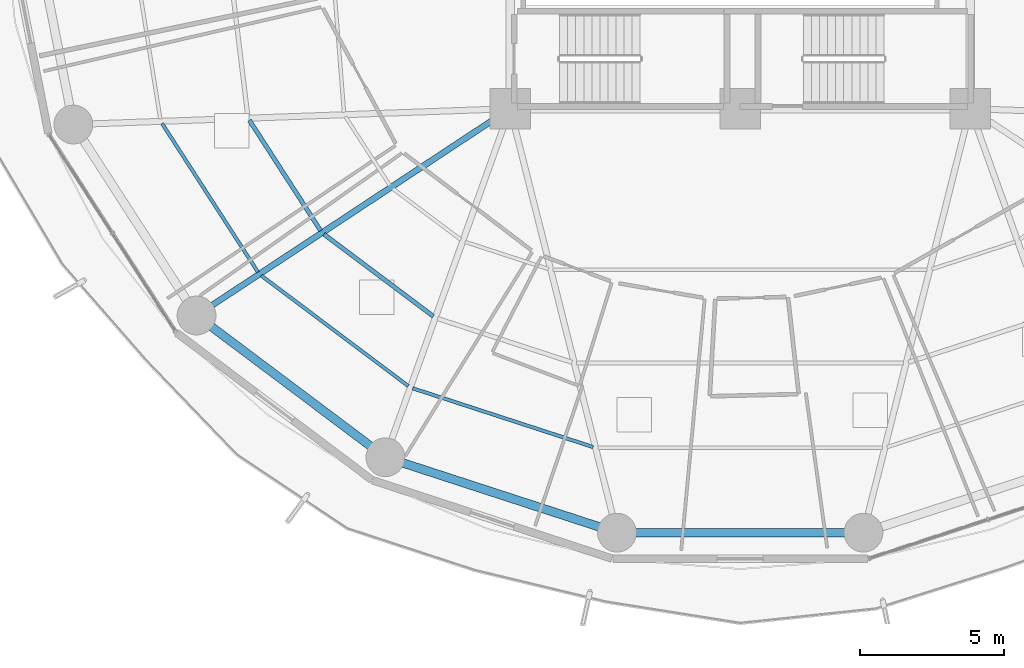
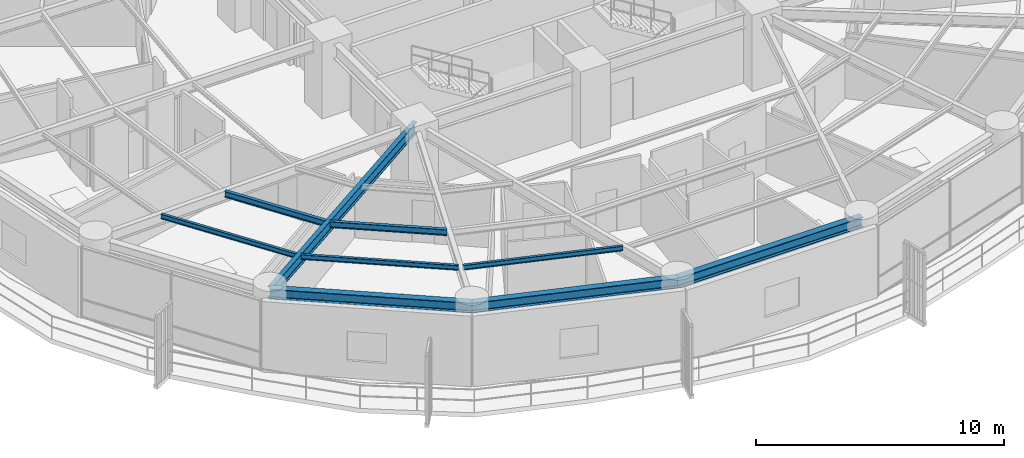
# One storey, part 3 of 35: 9 beams.
"""IFC4 building model written with IfcOpenShell, lengths in metres."""

import ifcopenshell
import ifcopenshell.guid

model = None  # the IFC model being written
_history = None  # IfcOwnerHistory: only IFC2X3 demands one
_inside = {}  # id of a spatial element -> (the spatial element, [elements in it])
_under = {}  # id of a project, library or spatial element -> (it, [spatial elements below it])
_declared = {}  # id of a project -> (the project, [libraries it declares])
_typed = {}  # id of a type object -> (the type object, [elements of that type])
_made_of = {}  # id of a material, layer set ... -> (it, [elements and type objects made of it])


def new_model(schema):
    """Start an empty IFC model of exactly this schema.

    Asked for "IFC4X3", IfcOpenShell would pick the latest addendum, in which some entities
    have other attributes; the version numbers below select the first issue.
    IFC2X3 requires an IfcOwnerHistory on every rooted entity: one is made here for all.
    """
    global model, _history
    if schema == "IFC4X3":
        model = ifcopenshell.file(schema_version=(4, 3, 0, 0))
    else:
        model = ifcopenshell.file(schema=schema)
    _inside.clear()
    _under.clear()
    _declared.clear()
    _typed.clear()
    _made_of.clear()
    _history = None
    if model.schema == "IFC2X3":
        org = make("IfcOrganization", Name="unknown")
        user = make(
            "IfcPersonAndOrganization",
            ThePerson=make("IfcPerson", FamilyName="unknown"),
            TheOrganization=org,
        )
        app = make(
            "IfcApplication",
            ApplicationDeveloper=org,
            Version="unknown",
            ApplicationFullName="unknown",
            ApplicationIdentifier="unknown",
        )
        _history = make(
            "IfcOwnerHistory",
            OwningUser=user,
            OwningApplication=app,
            ChangeAction="ADDED",
            CreationDate=0,
        )
    return model


def make(cls, **values):
    """One entity of the class cls with the attributes given. An attribute that is None is left unset."""
    return model.create_entity(
        cls, **{name: value for name, value in values.items() if value is not None}
    )


def rooted(cls, **values):
    """An entity with a GlobalId (a new one), such as an element, a storey or a relation."""
    return make(cls, GlobalId=ifcopenshell.guid.new(), OwnerHistory=_history, **values)


def si_unit(unit_type, name, prefix=None):
    """IfcSIUnit, for example si_unit("LENGTHUNIT", "METRE", prefix="MILLI")."""
    return make("IfcSIUnit", UnitType=unit_type, Prefix=prefix, Name=name)


def assignment(units):
    """IfcUnitAssignment: the units of a project."""
    return None if units is None else make("IfcUnitAssignment", Units=units)


def point(xyz):
    """IfcCartesianPoint."""
    return None if xyz is None else make("IfcCartesianPoint", Coordinates=xyz)


def direction(xyz):
    """IfcDirection."""
    return None if xyz is None else make("IfcDirection", DirectionRatios=xyz)


def frame(location, z_axis=None, x_axis=None):
    """IfcAxis2Placement3D, a coordinate frame: its origin and axes. An axis left out is left unset."""
    return make(
        "IfcAxis2Placement3D",
        Location=point(location),
        Axis=direction(z_axis),
        RefDirection=direction(x_axis),
    )


def frame_2d(location, x_axis=None):
    """IfcAxis2Placement2D, a coordinate frame in the plane: its origin and x axis."""
    return make(
        "IfcAxis2Placement2D", Location=point(location), RefDirection=direction(x_axis)
    )


def origin():
    """The frame at (0, 0, 0) with its axes left unset."""
    return frame((0.0, 0.0, 0.0))


def origin_2d():
    """The frame at (0, 0) in the plane with its x axis left unset."""
    return frame_2d((0.0, 0.0))


def place(relative_to, where):
    """IfcLocalPlacement: puts the frame where relative to a parent placement (None: the world)."""
    return make(
        "IfcLocalPlacement", PlacementRelTo=relative_to, RelativePlacement=where
    )


def context(
    kind, dimensions, precision=None, world=None, true_north=None, identifier=None
):
    """IfcGeometricRepresentationContext, for example the 3D "Model" context."""
    return make(
        "IfcGeometricRepresentationContext",
        ContextIdentifier=identifier,
        ContextType=kind,
        CoordinateSpaceDimension=dimensions,
        Precision=precision,
        WorldCoordinateSystem=world,
        TrueNorth=true_north,
    )


def subcontext(parent, identifier, kind, view, scale=None):
    """IfcGeometricRepresentationSubContext, for example "Body" below "Model"."""
    return make(
        "IfcGeometricRepresentationSubContext",
        ContextIdentifier=identifier,
        ContextType=kind,
        ParentContext=parent,
        TargetScale=scale,
        TargetView=view,
    )


def project(units=None, contexts=None):
    """IfcProject with its units and contexts."""
    return rooted(
        "IfcProject",
        Name="project",
        RepresentationContexts=contexts,
        UnitsInContext=assignment(units),
    )


def spatial(cls, under=None, at=None, **own):
    """A site, building, storey or space (cls), placed at a placement, below another one or the project."""
    s = rooted(cls, ObjectPlacement=at, **own)
    if under is not None:
        _under.setdefault(under.id(), (under, []))[1].append(s)
    return s


def profile(cls, at=None, kind="AREA", **sizes):
    """A parametric profile (cls). Its sizes go by their IFC names, for example OverallWidth=200.0."""
    return make(cls, ProfileType=kind, Position=at, **sizes)


def i_section(**sizes):
    """IfcIShapeProfileDef."""
    return profile("IfcIShapeProfileDef", **sizes)


def extrude(swept, where, along, depth):
    """IfcExtrudedAreaSolid: the profile swept, set in the frame where, extruded along a direction by depth."""
    return make(
        "IfcExtrudedAreaSolid",
        SweptArea=swept,
        Position=where,
        ExtrudedDirection=direction(along),
        Depth=depth,
    )


def shape(context_of_items, identifier, shape_type, items):
    """IfcShapeRepresentation: the items that make up one representation, for example the "Body"."""
    return make(
        "IfcShapeRepresentation",
        ContextOfItems=context_of_items,
        RepresentationIdentifier=identifier,
        RepresentationType=shape_type,
        Items=items,
    )


def material(Name=None, Category=None):
    """IfcMaterial."""
    return make("IfcMaterial", Name=Name, Category=Category)


def material_profile(
    of_material, cross_section, Name=None, Category=None, Priority=None
):
    """IfcMaterialProfile: a cross section and its material."""
    return make(
        "IfcMaterialProfile",
        Name=Name,
        Material=of_material,
        Profile=cross_section,
        Priority=Priority,
        Category=Category,
    )


def profile_set(profiles, Name=None, composite=None):
    """IfcMaterialProfileSet."""
    return make(
        "IfcMaterialProfileSet",
        Name=Name,
        MaterialProfiles=profiles,
        CompositeProfile=composite,
    )


def made_of(thing, what):
    """Note that an element or type object is made of a material, layer set ...; save() writes the relation."""
    if what is not None:
        _made_of.setdefault(what.id(), (what, []))[1].append(thing)
    return thing


def type_object(cls, material=None, **own):
    """A type object (cls), such as IfcWallType, which elements share."""
    return made_of(rooted(cls, **own), material)


def element(
    cls,
    number,
    at=None,
    inside=None,
    cuts=None,
    type_object=None,
    material=None,
    context=None,
    identifier="Body",
    shape_type=None,
    held_by="IfcProductDefinitionShape",
    body=None,
    shapes=None,
    **own,
):
    """One element of the class cls, such as IfcWall. Its Tag is "e" and its number.

    at: its placement. inside: the storey or other place that contains it. cuts: it is an
    opening in that element (IfcRelVoidsElement). A single representation is given by context,
    identifier, shape_type and body (its items); several are given by shapes. held_by: the class
    of the entity that holds the representations. save() writes the other relations.
    """
    e = rooted(cls, Tag="e%d" % number, ObjectPlacement=at, **own)
    if body is not None:
        shapes = [shape(context, identifier, shape_type, body)]
    if shapes is not None:
        e.Representation = make(held_by, Representations=shapes)
    if inside is not None:
        _inside.setdefault(inside.id(), (inside, []))[1].append(e)
    if cuts is not None:
        rooted(
            "IfcRelVoidsElement", RelatingBuildingElement=cuts, RelatedOpeningElement=e
        )
    if type_object is not None:
        _typed.setdefault(type_object.id(), (type_object, []))[1].append(e)
    return made_of(e, material)


def aggregate(whole, parts):
    """IfcRelAggregates: a whole, such as a stair, and the parts it consists of."""
    return rooted("IfcRelAggregates", RelatingObject=whole, RelatedObjects=parts)


def save(model, path):
    """Write the relations noted so far, then the file.

    IfcRelAggregates (storeys below a building ...), IfcRelContainedInSpatialStructure (elements
    in a storey), IfcRelDefinesByType, IfcRelAssociatesMaterial and IfcRelDeclares: one each for
    every whole, place, type object, material and project.
    """
    for whole, parts in _under.values():
        aggregate(whole, parts)
    for where, things in _inside.values():
        rooted(
            "IfcRelContainedInSpatialStructure",
            RelatedElements=things,
            RelatingStructure=where,
        )
    for kind, things in _typed.values():
        rooted("IfcRelDefinesByType", RelatedObjects=things, RelatingType=kind)
    for what, things in _made_of.values():
        rooted("IfcRelAssociatesMaterial", RelatedObjects=things, RelatingMaterial=what)
    for by, libraries in _declared.values():
        rooted("IfcRelDeclares", RelatingContext=by, RelatedDefinitions=libraries)
    model.write(path)


model = new_model("IFC4")

# Units and contexts
model_context = context("Model", 3, precision=1e-05, world=origin(), true_north=direction((0.0, 1.0)))
body_context = subcontext(model_context, "Body", "Model", "MODEL_VIEW")
ifc_project = project(units=[si_unit("LENGTHUNIT", "METRE"), si_unit("AREAUNIT", "SQUARE_METRE"), si_unit("VOLUMEUNIT", "CUBIC_METRE"), si_unit("PLANEANGLEUNIT", "RADIAN"), si_unit("MASSUNIT", "GRAM", prefix="KILO")], contexts=[model_context])

# Site, building, storey
site_placement = place(None, origin())
site = spatial("IfcSite", under=ifc_project, at=site_placement, CompositionType="ELEMENT")
building_placement = place(site_placement, origin())
building = spatial("IfcBuilding", under=site, at=building_placement, Name="Kelanora Arch Commons", CompositionType="ELEMENT")
storey_placement = place(building_placement, frame((0.0, 0.0, 95.10009765625)))
storey = spatial("IfcBuildingStorey", under=building, at=storey_placement, Name="L24", CompositionType="ELEMENT", Elevation=95.10009765625)

# Beams
ifc_material = material(Name="Steel S355", Category="steel")
ifc_material_profile_1 = material_profile(ifc_material, i_section(OverallWidth=0.14990234375, OverallDepth=0.300048828125, WebThickness=0.007080078125, FlangeThickness=0.0107421875, FilletRadius=0.014892578125, at=origin_2d()), Name="IPE300")
ifc_profile_set_1 = profile_set([ifc_material_profile_1], Name="Steel S355")
beam_type_1 = type_object("IfcBeamType", Name="BM-JST-01", PredefinedType="JOIST", material=ifc_profile_set_1)
beam_1_placement = place(storey_placement, frame((56.93115234375, 50.597412109375, 3.33984375), z_axis=(0.542230243286, -0.840229946661, 0.0), x_axis=(0.840229946661, 0.542230243286, 0.0)))
element("IfcBeam", 1, at=beam_1_placement, inside=storey, type_object=beam_type_1, Name="Secondary Chord Joist BJB-20 L24", PredefinedType="JOIST", context=body_context, shape_type="SweptSolid", body=[
    extrude(i_section(OverallWidth=0.14990234375, OverallDepth=0.300048828125, WebThickness=0.007080078125, FlangeThickness=0.0107421875, FilletRadius=0.014892578125, at=origin_2d()), origin(), (0.0, 0.0, 1.0), 4.572265625),
])
beam_2_placement = place(storey_placement, frame((59.5244140625, 46.63330078125, 3.33984375), z_axis=(0.79971039107, -0.600385951214, 0.0), x_axis=(0.600385951214, 0.79971039107, 0.0)))
element("IfcBeam", 2, at=beam_2_placement, inside=storey, type_object=beam_type_1, Name="Secondary Chord Joist BJB-22 L24", PredefinedType="JOIST", context=body_context, shape_type="SweptSolid", body=[
    extrude(i_section(OverallWidth=0.14990234375, OverallDepth=0.300048828125, WebThickness=0.007080078125, FlangeThickness=0.0107421875, FilletRadius=0.014892578125, at=origin_2d()), origin(), (0.0, 0.0, 1.0), 4.756103515625),
])
ifc_material_profile_2 = material_profile(ifc_material, i_section(OverallWidth=0.1201171875, OverallDepth=0.239990234375, WebThickness=0.006103515625, FlangeThickness=0.009765625, FilletRadius=0.014892578125, at=origin_2d()), Name="IPE240")
ifc_profile_set_2 = profile_set([ifc_material_profile_2], Name="Steel S355")
beam_type_2 = type_object("IfcBeamType", Name="BM-JST-02", PredefinedType="JOIST", material=ifc_profile_set_2)
beam_3_placement = place(storey_placement, frame((53.892822265625, 50.487060546875, 3.369873046875), z_axis=(0.542212726273, -0.840241250754, 0.0), x_axis=(0.840241250754, 0.542212726273, 0.0)))
element("IfcBeam", 3, at=beam_3_placement, inside=storey, type_object=beam_type_2, Name="Secondary Chord Joist BJC-20 L24", PredefinedType="JOIST", context=body_context, shape_type="SweptSolid", body=[
    extrude(i_section(OverallWidth=0.1201171875, OverallDepth=0.239990234375, WebThickness=0.006103515625, FlangeThickness=0.009765625, FilletRadius=0.014892578125, at=origin_2d()), origin(), (0.0, 0.0, 1.0), 6.15283203125),
])
beam_4_placement = place(storey_placement, frame((57.34326171875, 45.194580078125, 3.369873046875), z_axis=(0.799734335646, -0.600354055861, 0.0), x_axis=(0.600354055861, 0.799734335646, 0.0)))
element("IfcBeam", 4, at=beam_4_placement, inside=storey, type_object=beam_type_2, Name="Secondary Chord Joist BJC-22 L24", PredefinedType="JOIST", context=body_context, shape_type="SweptSolid", body=[
    extrude(i_section(OverallWidth=0.1201171875, OverallDepth=0.239990234375, WebThickness=0.006103515625, FlangeThickness=0.009765625, FilletRadius=0.014892578125, at=origin_2d()), origin(), (0.0, 0.0, 1.0), 6.39794921875),
])
beam_5_placement = place(storey_placement, frame((62.60888671875, 41.276123046875, 3.369873046875), z_axis=(0.950862829272, -0.309612467301, 0.0), x_axis=(0.309612467301, 0.950862829272, 0.0)))
element("IfcBeam", 5, at=beam_5_placement, inside=storey, type_object=beam_type_2, Name="Secondary Chord Joist BJC-24 L24", PredefinedType="JOIST", context=body_context, shape_type="SweptSolid", body=[
    extrude(i_section(OverallWidth=0.1201171875, OverallDepth=0.239990234375, WebThickness=0.006103515625, FlangeThickness=0.009765625, FilletRadius=0.014892578125, at=origin_2d()), origin(), (0.0, 0.0, 1.0), 6.6064453125),
])
ifc_material_profile_3 = material_profile(ifc_material, i_section(OverallWidth=0.2099609375, OverallDepth=0.550048828125, WebThickness=0.010986328125, FlangeThickness=0.01708984375, FilletRadius=0.02392578125, at=origin_2d()), Name="IPE550")
ifc_profile_set_3 = profile_set([ifc_material_profile_3], Name="Steel S355")
beam_type_3 = type_object("IfcBeamType", Name="BM-RAD-Z2", PredefinedType="BEAM", material=ifc_profile_set_3)
beam_6_placement = place(storey_placement, frame((66.0, 51.0, 3.21484375), z_axis=(-0.834788577908, -0.550570640512, 0.0), x_axis=(0.550570640512, -0.834788577908, 0.0)))
element("IfcBeam", 6, at=beam_6_placement, inside=storey, type_object=beam_type_3, Name="Radial Floor Girder BR-22 L24", PredefinedType="BEAM", context=body_context, shape_type="SweptSolid", body=[
    extrude(i_section(OverallWidth=0.2099609375, OverallDepth=0.550048828125, WebThickness=0.010986328125, FlangeThickness=0.01708984375, FilletRadius=0.02392578125, at=origin_2d()), origin(), (0.0, 0.0, 1.0), 13.064453125),
])
ifc_material_profile_4 = material_profile(ifc_material, i_section(OverallWidth=0.300048828125, OverallDepth=0.5, WebThickness=0.014404296875, FlangeThickness=0.028076171875, FilletRadius=0.027099609375, at=origin_2d()), Name="HEB500")
ifc_profile_set_4 = profile_set([ifc_material_profile_4], Name="Steel S355")
beam_type_4 = type_object("IfcBeamType", Name="BM-SPN-Z2", PredefinedType="SPANDREL", material=ifc_profile_set_4)
beam_7_placement = place(storey_placement, frame((55.093994140625, 43.80712890625, 3.239990234375), z_axis=(0.799735861602, -0.600352023123, 0.0), x_axis=(0.600352023123, 0.799735861602, 0.0)))
element("IfcBeam", 7, at=beam_7_placement, inside=storey, type_object=beam_type_4, Name="Perimeter Spandrel Beam BS-22 L24", PredefinedType="SPANDREL", context=body_context, shape_type="SweptSolid", body=[
    extrude(i_section(OverallWidth=0.300048828125, OverallDepth=0.5, WebThickness=0.014404296875, FlangeThickness=0.028076171875, FilletRadius=0.027099609375, at=origin_2d()), origin(), (0.0, 0.0, 1.0), 8.210205078125),
])
beam_8_placement = place(storey_placement, frame((61.659912109375, 38.878173828125, 3.239990234375), z_axis=(0.950856631974, -0.309631499418, 0.0), x_axis=(0.309631499418, 0.950856631974, 0.0)))
element("IfcBeam", 8, at=beam_8_placement, inside=storey, type_object=beam_type_4, Name="Perimeter Spandrel Beam BS-24 L24", PredefinedType="SPANDREL", context=body_context, shape_type="SweptSolid", body=[
    extrude(i_section(OverallWidth=0.300048828125, OverallDepth=0.5, WebThickness=0.014404296875, FlangeThickness=0.028076171875, FilletRadius=0.027099609375, at=origin_2d()), origin(), (0.0, 0.0, 1.0), 8.470703125),
])
beam_9_placement = place(storey_placement, frame((69.71435546875, 36.25537109375, 3.239990234375), z_axis=(1.0, 0.0, 0.0), x_axis=(0.0, 1.0, 0.0)))
element("IfcBeam", 9, at=beam_9_placement, inside=storey, type_object=beam_type_4, Name="Perimeter Spandrel Beam BS-26 L24", PredefinedType="SPANDREL", context=body_context, shape_type="SweptSolid", body=[
    extrude(i_section(OverallWidth=0.300048828125, OverallDepth=0.5, WebThickness=0.014404296875, FlangeThickness=0.028076171875, FilletRadius=0.027099609375, at=origin_2d()), origin(), (0.0, 0.0, 1.0), 8.5712890625),
])

save(model, "model.ifc")
